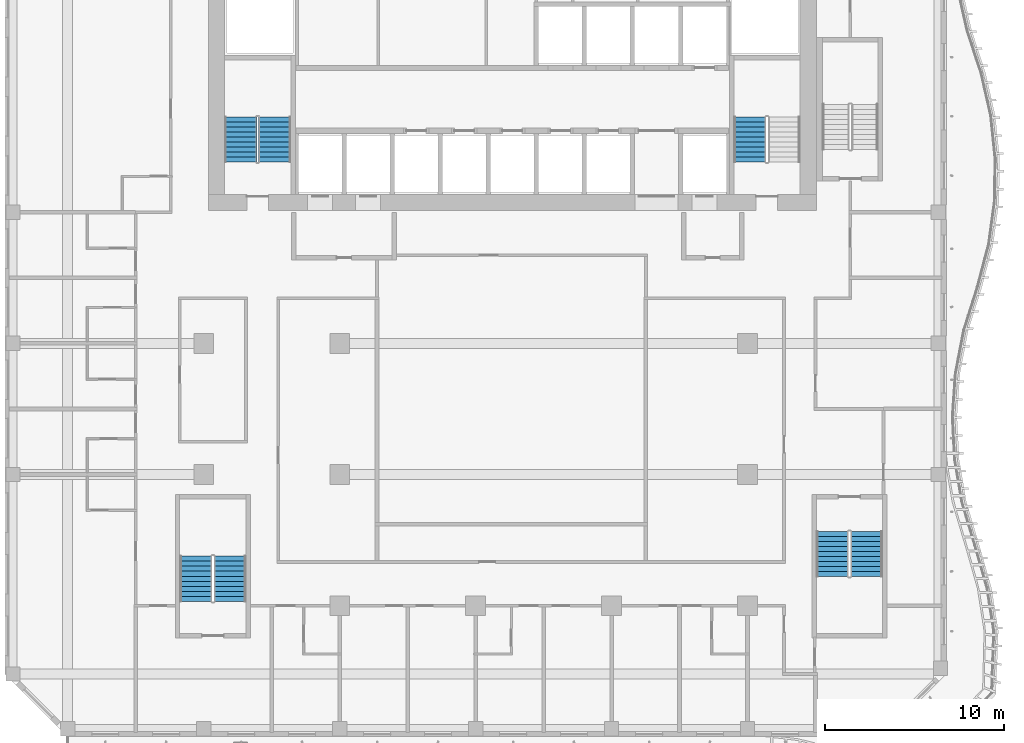
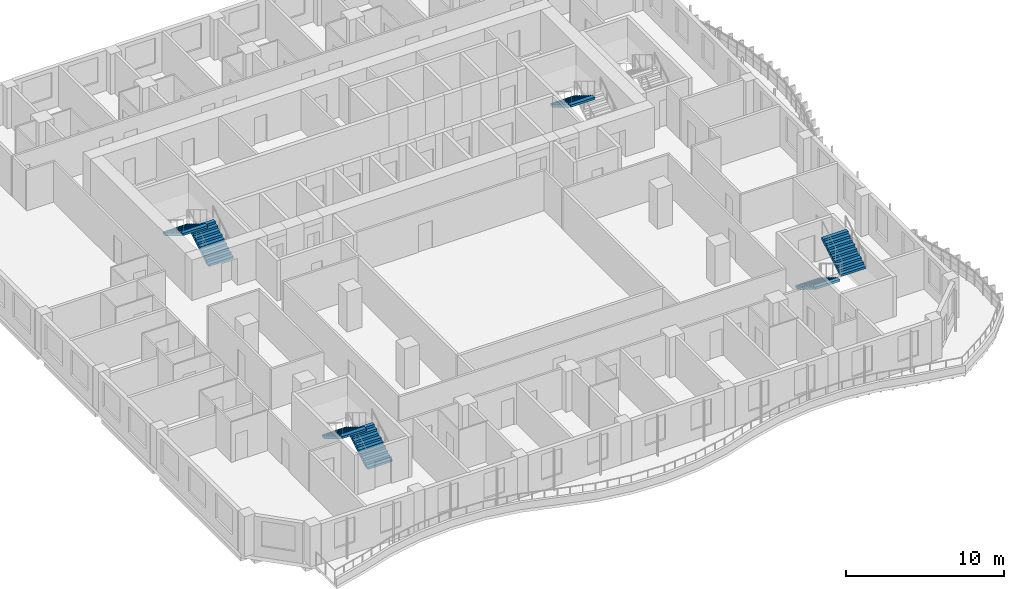
# One storey, part 12 of 23: 7 stair flights, 4 elements without a shape of their own.
"""IFC4 building model written with IfcOpenShell, lengths in metres."""

from ifc_helpers import new_model, si_unit, direction, frame, origin, place, context, subcontext, project, spatial, triangles, source, transform, mapped, material, type_object, element, aggregate, save


model = new_model("IFC4")

# Units and contexts
model_context = context("Model", 3, precision=1e-05, world=origin(), true_north=direction((0.0, 1.0)))
body_context = subcontext(model_context, "Body", "Model", "MODEL_VIEW")
ifc_project = project(units=[si_unit("LENGTHUNIT", "METRE"), si_unit("AREAUNIT", "SQUARE_METRE"), si_unit("VOLUMEUNIT", "CUBIC_METRE"), si_unit("PLANEANGLEUNIT", "RADIAN"), si_unit("MASSUNIT", "GRAM", prefix="KILO")], contexts=[model_context])

# Site, building, storey
site_placement = place(None, origin())
site = spatial("IfcSite", under=ifc_project, at=site_placement, CompositionType="ELEMENT")
building_placement = place(site_placement, origin())
building = spatial("IfcBuilding", under=site, at=building_placement, Name="Kilnfold Tower and Market Hall", CompositionType="ELEMENT")
storey_placement = place(building_placement, frame((0.0, 0.0, 150.699951171875)))
storey = spatial("IfcBuildingStorey", under=building, at=storey_placement, Name="L34", CompositionType="ELEMENT", Elevation=150.699951171875)

# Stair, stair flights
ifc_material_1 = material(Name="Concrete C40/50", Category="concrete")
stair_type = type_object("IfcStairType", Name="CORE STAIR 1800", PredefinedType="HALF_TURN_STAIR", material=ifc_material_1)
stair_1_placement = place(storey_placement, origin())
stair_1 = element("IfcStair", 1, at=stair_1_placement, inside=storey, type_object=stair_type, Name="L34 ST1", PredefinedType="HALF_TURN_STAIR")
ifc_material_2 = material(Name="Concrete C40/50", Category="concrete")
stair_flight_type = type_object("IfcStairFlightType", Name="CORE STAIR FLIGHT 1800", PredefinedType="STRAIGHT", material=ifc_material_2)
shared_shape = source(origin(), body_context, "Body", "Tessellation", [
    triangles([(0.0, 0.89990234375, 0.0), (0.0, 0.78759765625, 0.0), (0.0, 0.675048828125, 0.0), (0.0, 0.5625, 0.0), (0.0, 0.449951171875, 0.0), (0.0, 0.33740234375, 0.0), (0.0, 0.22509765625, 0.0), (0.0, 0.112548828125, 0.0), (0.0, 0.0, 0.0), (0.0, -0.112548828125, 0.0), (0.0, -0.22509765625, 0.0), (0.0, -0.33740234375, 0.0), (0.0, -0.449951171875, 0.0), (0.0, -0.5625, 0.0), (0.0, -0.675048828125, 0.0), (0.0, -0.78759765625, 0.0), (0.0, -0.89990234375, 0.0), (0.0, 0.89990234375, 0.169921875), (0.0, 0.78759765625, 0.169921875), (0.0, 0.675048828125, 0.169921875), (0.0, 0.5625, 0.169921875), (0.0, 0.449951171875, 0.169921875), (0.0, 0.33740234375, 0.169921875), (0.0, 0.22509765625, 0.169921875), (0.0, 0.112548828125, 0.169921875), (0.0, 0.0, 0.169921875), (0.0, -0.112548828125, 0.169921875), (0.0, -0.22509765625, 0.169921875), (0.0, -0.33740234375, 0.169921875), (0.0, -0.449951171875, 0.169921875), (0.0, -0.5625, 0.169921875), (0.0, -0.675048828125, 0.169921875), (0.0, -0.78759765625, 0.169921875), (0.0, -0.89990234375, 0.169921875), (0.280029296875, 0.89990234375, 0.169921875), (0.280029296875, 0.78759765625, 0.169921875), (0.280029296875, 0.675048828125, 0.169921875), (0.280029296875, 0.5625, 0.169921875), (0.280029296875, 0.449951171875, 0.169921875), (0.280029296875, 0.33740234375, 0.169921875), (0.280029296875, 0.22509765625, 0.169921875), (0.280029296875, 0.112548828125, 0.169921875), (0.280029296875, 0.0, 0.169921875), (0.280029296875, -0.112548828125, 0.169921875), (0.280029296875, -0.22509765625, 0.169921875), (0.280029296875, -0.33740234375, 0.169921875), (0.280029296875, -0.449951171875, 0.169921875), (0.280029296875, -0.5625, 0.169921875), (0.280029296875, -0.675048828125, 0.169921875), (0.280029296875, -0.78759765625, 0.169921875), (0.280029296875, -0.89990234375, 0.169921875), (0.280029296875, 0.89990234375, 0.340087890625), (0.280029296875, 0.78759765625, 0.340087890625), (0.280029296875, 0.675048828125, 0.340087890625), (0.280029296875, 0.5625, 0.340087890625), (0.280029296875, 0.449951171875, 0.340087890625), (0.280029296875, 0.33740234375, 0.340087890625), (0.280029296875, 0.22509765625, 0.340087890625), (0.280029296875, 0.112548828125, 0.340087890625), (0.280029296875, 0.0, 0.340087890625), (0.280029296875, -0.112548828125, 0.340087890625), (0.280029296875, -0.22509765625, 0.340087890625), (0.280029296875, -0.33740234375, 0.340087890625), (0.280029296875, -0.449951171875, 0.340087890625), (0.280029296875, -0.5625, 0.340087890625), (0.280029296875, -0.675048828125, 0.340087890625), (0.280029296875, -0.78759765625, 0.340087890625), (0.280029296875, -0.89990234375, 0.340087890625), (0.56005859375, 0.89990234375, 0.340087890625), (0.56005859375, 0.78759765625, 0.340087890625), (0.56005859375, 0.675048828125, 0.340087890625), (0.56005859375, 0.5625, 0.340087890625), (0.56005859375, 0.449951171875, 0.340087890625), (0.56005859375, 0.33740234375, 0.340087890625), (0.56005859375, 0.22509765625, 0.340087890625), (0.56005859375, 0.112548828125, 0.340087890625), (0.56005859375, 0.0, 0.340087890625), (0.56005859375, -0.112548828125, 0.340087890625), (0.56005859375, -0.22509765625, 0.340087890625), (0.56005859375, -0.33740234375, 0.340087890625), (0.56005859375, -0.449951171875, 0.340087890625), (0.56005859375, -0.5625, 0.340087890625), (0.56005859375, -0.675048828125, 0.340087890625), (0.56005859375, -0.78759765625, 0.340087890625), (0.56005859375, -0.89990234375, 0.340087890625), (0.56005859375, 0.89990234375, 0.510009765625), (0.56005859375, 0.78759765625, 0.510009765625), (0.56005859375, 0.675048828125, 0.510009765625), (0.56005859375, 0.5625, 0.510009765625), (0.56005859375, 0.449951171875, 0.510009765625), (0.56005859375, 0.33740234375, 0.510009765625), (0.56005859375, 0.22509765625, 0.510009765625), (0.56005859375, 0.112548828125, 0.510009765625), (0.56005859375, 0.0, 0.510009765625), (0.56005859375, -0.112548828125, 0.510009765625), (0.56005859375, -0.22509765625, 0.510009765625), (0.56005859375, -0.33740234375, 0.510009765625), (0.56005859375, -0.449951171875, 0.510009765625), (0.56005859375, -0.5625, 0.510009765625), (0.56005859375, -0.675048828125, 0.510009765625), (0.56005859375, -0.78759765625, 0.510009765625), (0.56005859375, -0.89990234375, 0.510009765625), (0.840087890625, 0.89990234375, 0.510009765625), (0.840087890625, 0.78759765625, 0.510009765625), (0.840087890625, 0.675048828125, 0.510009765625), (0.840087890625, 0.5625, 0.510009765625), (0.840087890625, 0.449951171875, 0.510009765625), (0.840087890625, 0.33740234375, 0.510009765625), (0.840087890625, 0.22509765625, 0.510009765625), (0.840087890625, 0.112548828125, 0.510009765625), (0.840087890625, 0.0, 0.510009765625), (0.840087890625, -0.112548828125, 0.510009765625), (0.840087890625, -0.22509765625, 0.510009765625), (0.840087890625, -0.33740234375, 0.510009765625), (0.840087890625, -0.449951171875, 0.510009765625), (0.840087890625, -0.5625, 0.510009765625), (0.840087890625, -0.675048828125, 0.510009765625), (0.840087890625, -0.78759765625, 0.510009765625), (0.840087890625, -0.89990234375, 0.510009765625), (0.840087890625, 0.89990234375, 0.679931640625), (0.840087890625, 0.78759765625, 0.679931640625), (0.840087890625, 0.675048828125, 0.679931640625), (0.840087890625, 0.5625, 0.679931640625), (0.840087890625, 0.449951171875, 0.679931640625), (0.840087890625, 0.33740234375, 0.679931640625), (0.840087890625, 0.22509765625, 0.679931640625), (0.840087890625, 0.112548828125, 0.679931640625), (0.840087890625, 0.0, 0.679931640625), (0.840087890625, -0.112548828125, 0.679931640625), (0.840087890625, -0.22509765625, 0.679931640625), (0.840087890625, -0.33740234375, 0.679931640625), (0.840087890625, -0.449951171875, 0.679931640625), (0.840087890625, -0.5625, 0.679931640625), (0.840087890625, -0.675048828125, 0.679931640625), (0.840087890625, -0.78759765625, 0.679931640625), (0.840087890625, -0.89990234375, 0.679931640625), (1.1201171875, 0.89990234375, 0.679931640625), (1.1201171875, 0.78759765625, 0.679931640625), (1.1201171875, 0.675048828125, 0.679931640625), (1.1201171875, 0.5625, 0.679931640625), (1.1201171875, 0.449951171875, 0.679931640625), (1.1201171875, 0.33740234375, 0.679931640625), (1.1201171875, 0.22509765625, 0.679931640625), (1.1201171875, 0.112548828125, 0.679931640625), (1.1201171875, 0.0, 0.679931640625), (1.1201171875, -0.112548828125, 0.679931640625), (1.1201171875, -0.22509765625, 0.679931640625), (1.1201171875, -0.33740234375, 0.679931640625), (1.1201171875, -0.449951171875, 0.679931640625), (1.1201171875, -0.5625, 0.679931640625), (1.1201171875, -0.675048828125, 0.679931640625), (1.1201171875, -0.78759765625, 0.679931640625), (1.1201171875, -0.89990234375, 0.679931640625), (1.1201171875, 0.89990234375, 0.85009765625), (1.1201171875, 0.78759765625, 0.85009765625), (1.1201171875, 0.675048828125, 0.85009765625), (1.1201171875, 0.5625, 0.85009765625), (1.1201171875, 0.449951171875, 0.85009765625), (1.1201171875, 0.33740234375, 0.85009765625), (1.1201171875, 0.22509765625, 0.85009765625), (1.1201171875, 0.112548828125, 0.85009765625), (1.1201171875, 0.0, 0.85009765625), (1.1201171875, -0.112548828125, 0.85009765625), (1.1201171875, -0.22509765625, 0.85009765625), (1.1201171875, -0.33740234375, 0.85009765625), (1.1201171875, -0.449951171875, 0.85009765625), (1.1201171875, -0.5625, 0.85009765625), (1.1201171875, -0.675048828125, 0.85009765625), (1.1201171875, -0.78759765625, 0.85009765625), (1.1201171875, -0.89990234375, 0.85009765625), (1.39990234375, 0.89990234375, 0.85009765625), (1.39990234375, 0.78759765625, 0.85009765625), (1.39990234375, 0.675048828125, 0.85009765625), (1.39990234375, 0.5625, 0.85009765625), (1.39990234375, 0.449951171875, 0.85009765625), (1.39990234375, 0.33740234375, 0.85009765625), (1.39990234375, 0.22509765625, 0.85009765625), (1.39990234375, 0.112548828125, 0.85009765625), (1.39990234375, 0.0, 0.85009765625), (1.39990234375, -0.112548828125, 0.85009765625), (1.39990234375, -0.22509765625, 0.85009765625), (1.39990234375, -0.33740234375, 0.85009765625), (1.39990234375, -0.449951171875, 0.85009765625), (1.39990234375, -0.5625, 0.85009765625), (1.39990234375, -0.675048828125, 0.85009765625), (1.39990234375, -0.78759765625, 0.85009765625), (1.39990234375, -0.89990234375, 0.85009765625), (1.39990234375, 0.89990234375, 1.02001953125), (1.39990234375, 0.78759765625, 1.02001953125), (1.39990234375, 0.675048828125, 1.02001953125), (1.39990234375, 0.5625, 1.02001953125), (1.39990234375, 0.449951171875, 1.02001953125), (1.39990234375, 0.33740234375, 1.02001953125), (1.39990234375, 0.22509765625, 1.02001953125), (1.39990234375, 0.112548828125, 1.02001953125), (1.39990234375, 0.0, 1.02001953125), (1.39990234375, -0.112548828125, 1.02001953125), (1.39990234375, -0.22509765625, 1.02001953125), (1.39990234375, -0.33740234375, 1.02001953125), (1.39990234375, -0.449951171875, 1.02001953125), (1.39990234375, -0.5625, 1.02001953125), (1.39990234375, -0.675048828125, 1.02001953125), (1.39990234375, -0.78759765625, 1.02001953125), (1.39990234375, -0.89990234375, 1.02001953125), (1.679931640625, 0.89990234375, 1.02001953125), (1.679931640625, 0.78759765625, 1.02001953125), (1.679931640625, 0.675048828125, 1.02001953125), (1.679931640625, 0.5625, 1.02001953125), (1.679931640625, 0.449951171875, 1.02001953125), (1.679931640625, 0.33740234375, 1.02001953125), (1.679931640625, 0.22509765625, 1.02001953125), (1.679931640625, 0.112548828125, 1.02001953125), (1.679931640625, 0.0, 1.02001953125), (1.679931640625, -0.112548828125, 1.02001953125), (1.679931640625, -0.22509765625, 1.02001953125), (1.679931640625, -0.33740234375, 1.02001953125), (1.679931640625, -0.449951171875, 1.02001953125), (1.679931640625, -0.5625, 1.02001953125), (1.679931640625, -0.675048828125, 1.02001953125), (1.679931640625, -0.78759765625, 1.02001953125), (1.679931640625, -0.89990234375, 1.02001953125), (1.679931640625, 0.89990234375, 1.18994140625), (1.679931640625, 0.78759765625, 1.18994140625), (1.679931640625, 0.675048828125, 1.18994140625), (1.679931640625, 0.5625, 1.18994140625), (1.679931640625, 0.449951171875, 1.18994140625), (1.679931640625, 0.33740234375, 1.18994140625), (1.679931640625, 0.22509765625, 1.18994140625), (1.679931640625, 0.112548828125, 1.18994140625), (1.679931640625, 0.0, 1.18994140625), (1.679931640625, -0.112548828125, 1.18994140625), (1.679931640625, -0.22509765625, 1.18994140625), (1.679931640625, -0.33740234375, 1.18994140625), (1.679931640625, -0.449951171875, 1.18994140625), (1.679931640625, -0.5625, 1.18994140625), (1.679931640625, -0.675048828125, 1.18994140625), (1.679931640625, -0.78759765625, 1.18994140625), (1.679931640625, -0.89990234375, 1.18994140625), (1.9599609375, 0.89990234375, 1.18994140625), (1.9599609375, 0.78759765625, 1.18994140625), (1.9599609375, 0.675048828125, 1.18994140625), (1.9599609375, 0.5625, 1.18994140625), (1.9599609375, 0.449951171875, 1.18994140625), (1.9599609375, 0.33740234375, 1.18994140625), (1.9599609375, 0.22509765625, 1.18994140625), (1.9599609375, 0.112548828125, 1.18994140625), (1.9599609375, 0.0, 1.18994140625), (1.9599609375, -0.112548828125, 1.18994140625), (1.9599609375, -0.22509765625, 1.18994140625), (1.9599609375, -0.33740234375, 1.18994140625), (1.9599609375, -0.449951171875, 1.18994140625), (1.9599609375, -0.5625, 1.18994140625), (1.9599609375, -0.675048828125, 1.18994140625), (1.9599609375, -0.78759765625, 1.18994140625), (1.9599609375, -0.89990234375, 1.18994140625), (1.9599609375, 0.89990234375, 1.360107421875), (1.9599609375, 0.78759765625, 1.360107421875), (1.9599609375, 0.675048828125, 1.360107421875), (1.9599609375, 0.5625, 1.360107421875), (1.9599609375, 0.449951171875, 1.360107421875), (1.9599609375, 0.33740234375, 1.360107421875), (1.9599609375, 0.22509765625, 1.360107421875), (1.9599609375, 0.112548828125, 1.360107421875), (1.9599609375, 0.0, 1.360107421875), (1.9599609375, -0.112548828125, 1.360107421875), (1.9599609375, -0.22509765625, 1.360107421875), (1.9599609375, -0.33740234375, 1.360107421875), (1.9599609375, -0.449951171875, 1.360107421875), (1.9599609375, -0.5625, 1.360107421875), (1.9599609375, -0.675048828125, 1.360107421875), (1.9599609375, -0.78759765625, 1.360107421875), (1.9599609375, -0.89990234375, 1.360107421875), (2.239990234375, 0.89990234375, 1.360107421875), (2.239990234375, 0.78759765625, 1.360107421875), (2.239990234375, 0.675048828125, 1.360107421875), (2.239990234375, 0.5625, 1.360107421875), (2.239990234375, 0.449951171875, 1.360107421875), (2.239990234375, 0.33740234375, 1.360107421875), (2.239990234375, 0.22509765625, 1.360107421875), (2.239990234375, 0.112548828125, 1.360107421875), (2.239990234375, 0.0, 1.360107421875), (2.239990234375, -0.112548828125, 1.360107421875), (2.239990234375, -0.22509765625, 1.360107421875), (2.239990234375, -0.33740234375, 1.360107421875), (2.239990234375, -0.449951171875, 1.360107421875), (2.239990234375, -0.5625, 1.360107421875), (2.239990234375, -0.675048828125, 1.360107421875), (2.239990234375, -0.78759765625, 1.360107421875), (2.239990234375, -0.89990234375, 1.360107421875), (2.239990234375, 0.89990234375, 1.530029296875), (2.239990234375, 0.78759765625, 1.530029296875), (2.239990234375, 0.675048828125, 1.530029296875), (2.239990234375, 0.5625, 1.530029296875), (2.239990234375, 0.449951171875, 1.530029296875), (2.239990234375, 0.33740234375, 1.530029296875), (2.239990234375, 0.22509765625, 1.530029296875), (2.239990234375, 0.112548828125, 1.530029296875), (2.239990234375, 0.0, 1.530029296875), (2.239990234375, -0.112548828125, 1.530029296875), (2.239990234375, -0.22509765625, 1.530029296875), (2.239990234375, -0.33740234375, 1.530029296875), (2.239990234375, -0.449951171875, 1.530029296875), (2.239990234375, -0.5625, 1.530029296875), (2.239990234375, -0.675048828125, 1.530029296875), (2.239990234375, -0.78759765625, 1.530029296875), (2.239990234375, -0.89990234375, 1.530029296875), (2.52001953125, 0.89990234375, 1.530029296875), (2.52001953125, 0.78759765625, 1.530029296875), (2.52001953125, 0.675048828125, 1.530029296875), (2.52001953125, 0.5625, 1.530029296875), (2.52001953125, 0.449951171875, 1.530029296875), (2.52001953125, 0.33740234375, 1.530029296875), (2.52001953125, 0.22509765625, 1.530029296875), (2.52001953125, 0.112548828125, 1.530029296875), (2.52001953125, 0.0, 1.530029296875), (2.52001953125, -0.112548828125, 1.530029296875), (2.52001953125, -0.22509765625, 1.530029296875), (2.52001953125, -0.33740234375, 1.530029296875), (2.52001953125, -0.449951171875, 1.530029296875), (2.52001953125, -0.5625, 1.530029296875), (2.52001953125, -0.675048828125, 1.530029296875), (2.52001953125, -0.78759765625, 1.530029296875), (2.52001953125, -0.89990234375, 1.530029296875), (2.52001953125, 0.89990234375, 1.354736328125), (2.52001953125, 0.78759765625, 1.354736328125), (2.52001953125, 0.675048828125, 1.354736328125), (2.52001953125, 0.5625, 1.354736328125), (2.52001953125, 0.449951171875, 1.354736328125), (2.52001953125, 0.33740234375, 1.354736328125), (2.52001953125, 0.22509765625, 1.354736328125), (2.52001953125, 0.112548828125, 1.354736328125), (2.52001953125, 0.0, 1.354736328125), (2.52001953125, -0.112548828125, 1.354736328125), (2.52001953125, -0.22509765625, 1.354736328125), (2.52001953125, -0.33740234375, 1.354736328125), (2.52001953125, -0.449951171875, 1.354736328125), (2.52001953125, -0.5625, 1.354736328125), (2.52001953125, -0.675048828125, 1.354736328125), (2.52001953125, -0.78759765625, 1.354736328125), (2.52001953125, -0.89990234375, 1.354736328125), (0.288818359375, 0.89990234375, 0.0), (0.288818359375, 0.78759765625, 0.0), (0.288818359375, 0.675048828125, 0.0), (0.288818359375, 0.5625, 0.0), (0.288818359375, 0.449951171875, 0.0), (0.288818359375, 0.33740234375, 0.0), (0.288818359375, 0.22509765625, 0.0), (0.288818359375, 0.112548828125, 0.0), (0.288818359375, 0.0, 0.0), (0.288818359375, -0.112548828125, 0.0), (0.288818359375, -0.22509765625, 0.0), (0.288818359375, -0.33740234375, 0.0), (0.288818359375, -0.449951171875, 0.0), (0.288818359375, -0.5625, 0.0), (0.288818359375, -0.675048828125, 0.0), (0.288818359375, -0.78759765625, 0.0), (0.288818359375, -0.89990234375, 0.0)], [[1, 324, 341], [17, 357, 340], [324, 290, 307], [340, 323, 306], [324, 273, 290], [340, 306, 289], [324, 256, 273], [340, 289, 272], [324, 239, 256], [340, 272, 255], [239, 205, 222], [255, 238, 221], [324, 205, 239], [340, 255, 221], [205, 171, 188], [221, 204, 187], [324, 171, 205], [340, 221, 187], [171, 137, 154], [187, 170, 153], [324, 137, 171], [340, 187, 153], [137, 103, 120], [153, 136, 119], [324, 103, 137], [340, 153, 119], [103, 69, 86], [119, 102, 85], [324, 69, 103], [340, 119, 85], [69, 35, 52], [85, 68, 51], [324, 35, 69], [340, 85, 51], [1, 35, 324], [17, 340, 51], [35, 1, 18], [51, 34, 17], [1, 19, 18], [1, 2, 19], [2, 20, 19], [2, 3, 20], [3, 21, 20], [3, 4, 21], [4, 22, 21], [4, 5, 22], [5, 23, 22], [5, 6, 23], [6, 24, 23], [6, 7, 24], [7, 25, 24], [7, 8, 25], [8, 26, 25], [8, 9, 26], [9, 27, 26], [9, 10, 27], [10, 28, 27], [10, 11, 28], [11, 29, 28], [11, 12, 29], [12, 30, 29], [12, 13, 30], [13, 31, 30], [13, 14, 31], [14, 32, 31], [14, 15, 32], [15, 33, 32], [15, 16, 33], [16, 34, 33], [16, 17, 34], [18, 36, 35], [18, 19, 36], [19, 37, 36], [19, 20, 37], [20, 38, 37], [20, 21, 38], [21, 39, 38], [21, 22, 39], [22, 40, 39], [22, 23, 40], [23, 41, 40], [23, 24, 41], [24, 42, 41], [24, 25, 42], [25, 43, 42], [25, 26, 43], [26, 44, 43], [26, 27, 44], [27, 45, 44], [27, 28, 45], [28, 46, 45], [28, 29, 46], [29, 47, 46], [29, 30, 47], [30, 48, 47], [30, 31, 48], [31, 49, 48], [31, 32, 49], [32, 50, 49], [32, 33, 50], [33, 51, 50], [33, 34, 51], [35, 53, 52], [35, 36, 53], [36, 54, 53], [36, 37, 54], [37, 55, 54], [37, 38, 55], [38, 56, 55], [38, 39, 56], [39, 57, 56], [39, 40, 57], [40, 58, 57], [40, 41, 58], [41, 59, 58], [41, 42, 59], [42, 60, 59], [42, 43, 60], [43, 61, 60], [43, 44, 61], [44, 62, 61], [44, 45, 62], [45, 63, 62], [45, 46, 63], [46, 64, 63], [46, 47, 64], [47, 65, 64], [47, 48, 65], [48, 66, 65], [48, 49, 66], [49, 67, 66], [49, 50, 67], [50, 68, 67], [50, 51, 68], [52, 70, 69], [52, 53, 70], [53, 71, 70], [53, 54, 71], [54, 72, 71], [54, 55, 72], [55, 73, 72], [55, 56, 73], [56, 74, 73], [56, 57, 74], [57, 75, 74], [57, 58, 75], [58, 76, 75], [58, 59, 76], [59, 77, 76], [59, 60, 77], [60, 78, 77], [60, 61, 78], [61, 79, 78], [61, 62, 79], [62, 80, 79], [62, 63, 80], [63, 81, 80], [63, 64, 81], [64, 82, 81], [64, 65, 82], [65, 83, 82], [65, 66, 83], [66, 84, 83], [66, 67, 84], [67, 85, 84], [67, 68, 85], [69, 87, 86], [69, 70, 87], [70, 88, 87], [70, 71, 88], [71, 89, 88], [71, 72, 89], [72, 90, 89], [72, 73, 90], [73, 91, 90], [73, 74, 91], [74, 92, 91], [74, 75, 92], [75, 93, 92], [75, 76, 93], [76, 94, 93], [76, 77, 94], [77, 95, 94], [77, 78, 95], [78, 96, 95], [78, 79, 96], [79, 97, 96], [79, 80, 97], [80, 98, 97], [80, 81, 98], [81, 99, 98], [81, 82, 99], [82, 100, 99], [82, 83, 100], [83, 101, 100], [83, 84, 101], [84, 102, 101], [84, 85, 102], [86, 104, 103], [86, 87, 104], [87, 105, 104], [87, 88, 105], [88, 106, 105], [88, 89, 106], [89, 107, 106], [89, 90, 107], [90, 108, 107], [90, 91, 108], [91, 109, 108], [91, 92, 109], [92, 110, 109], [92, 93, 110], [93, 111, 110], [93, 94, 111], [94, 112, 111], [94, 95, 112], [95, 113, 112], [95, 96, 113], [96, 114, 113], [96, 97, 114], [97, 115, 114], [97, 98, 115], [98, 116, 115], [98, 99, 116], [99, 117, 116], [99, 100, 117], [100, 118, 117], [100, 101, 118], [101, 119, 118], [101, 102, 119], [103, 121, 120], [103, 104, 121], [104, 122, 121], [104, 105, 122], [105, 123, 122], [105, 106, 123], [106, 124, 123], [106, 107, 124], [107, 125, 124], [107, 108, 125], [108, 126, 125], [108, 109, 126], [109, 127, 126], [109, 110, 127], [110, 128, 127], [110, 111, 128], [111, 129, 128], [111, 112, 129], [112, 130, 129], [112, 113, 130], [113, 131, 130], [113, 114, 131], [114, 132, 131], [114, 115, 132], [115, 133, 132], [115, 116, 133], [116, 134, 133], [116, 117, 134], [117, 135, 134], [117, 118, 135], [118, 136, 135], [118, 119, 136], [120, 138, 137], [120, 121, 138], [121, 139, 138], [121, 122, 139], [122, 140, 139], [122, 123, 140], [123, 141, 140], [123, 124, 141], [124, 142, 141], [124, 125, 142], [125, 143, 142], [125, 126, 143], [126, 144, 143], [126, 127, 144], [127, 145, 144], [127, 128, 145], [128, 146, 145], [128, 129, 146], [129, 147, 146], [129, 130, 147], [130, 148, 147], [130, 131, 148], [131, 149, 148], [131, 132, 149], [132, 150, 149], [132, 133, 150], [133, 151, 150], [133, 134, 151], [134, 152, 151], [134, 135, 152], [135, 153, 152], [135, 136, 153], [137, 155, 154], [137, 138, 155], [138, 156, 155], [138, 139, 156], [139, 157, 156], [139, 140, 157], [140, 158, 157], [140, 141, 158], [141, 159, 158], [141, 142, 159], [142, 160, 159], [142, 143, 160], [143, 161, 160], [143, 144, 161], [144, 162, 161], [144, 145, 162], [145, 163, 162], [145, 146, 163], [146, 164, 163], [146, 147, 164], [147, 165, 164], [147, 148, 165], [148, 166, 165], [148, 149, 166], [149, 167, 166], [149, 150, 167], [150, 168, 167], [150, 151, 168], [151, 169, 168], [151, 152, 169], [152, 170, 169], [152, 153, 170], [154, 172, 171], [154, 155, 172], [155, 173, 172], [155, 156, 173], [156, 174, 173], [156, 157, 174], [157, 175, 174], [157, 158, 175], [158, 176, 175], [158, 159, 176], [159, 177, 176], [159, 160, 177], [160, 178, 177], [160, 161, 178], [161, 179, 178], [161, 162, 179], [162, 180, 179], [162, 163, 180], [163, 181, 180], [163, 164, 181], [164, 182, 181], [164, 165, 182], [165, 183, 182], [165, 166, 183], [166, 184, 183], [166, 167, 184], [167, 185, 184], [167, 168, 185], [168, 186, 185], [168, 169, 186], [169, 187, 186], [169, 170, 187], [171, 189, 188], [171, 172, 189], [172, 190, 189], [172, 173, 190], [173, 191, 190], [173, 174, 191], [174, 192, 191], [174, 175, 192], [175, 193, 192], [175, 176, 193], [176, 194, 193], [176, 177, 194], [177, 195, 194], [177, 178, 195], [178, 196, 195], [178, 179, 196], [179, 197, 196], [179, 180, 197], [180, 198, 197], [180, 181, 198], [181, 199, 198], [181, 182, 199], [182, 200, 199], [182, 183, 200], [183, 201, 200], [183, 184, 201], [184, 202, 201], [184, 185, 202], [185, 203, 202], [185, 186, 203], [186, 204, 203], [186, 187, 204], [188, 206, 205], [188, 189, 206], [189, 207, 206], [189, 190, 207], [190, 208, 207], [190, 191, 208], [191, 209, 208], [191, 192, 209], [192, 210, 209], [192, 193, 210], [193, 211, 210], [193, 194, 211], [194, 212, 211], [194, 195, 212], [195, 213, 212], [195, 196, 213], [196, 214, 213], [196, 197, 214], [197, 215, 214], [197, 198, 215], [198, 216, 215], [198, 199, 216], [199, 217, 216], [199, 200, 217], [200, 218, 217], [200, 201, 218], [201, 219, 218], [201, 202, 219], [202, 220, 219], [202, 203, 220], [203, 221, 220], [203, 204, 221], [205, 223, 222], [205, 206, 223], [206, 224, 223], [206, 207, 224], [207, 225, 224], [207, 208, 225], [208, 226, 225], [208, 209, 226], [209, 227, 226], [209, 210, 227], [210, 228, 227], [210, 211, 228], [211, 229, 228], [211, 212, 229], [212, 230, 229], [212, 213, 230], [213, 231, 230], [213, 214, 231], [214, 232, 231], [214, 215, 232], [215, 233, 232], [215, 216, 233], [216, 234, 233], [216, 217, 234], [217, 235, 234], [217, 218, 235], [218, 236, 235], [218, 219, 236], [219, 237, 236], [219, 220, 237], [220, 238, 237], [220, 221, 238], [222, 240, 239], [222, 223, 240], [223, 241, 240], [223, 224, 241], [224, 242, 241], [224, 225, 242], [225, 243, 242], [225, 226, 243], [226, 244, 243], [226, 227, 244], [227, 245, 244], [227, 228, 245], [228, 246, 245], [228, 229, 246], [229, 247, 246], [229, 230, 247], [230, 248, 247], [230, 231, 248], [231, 249, 248], [231, 232, 249], [232, 250, 249], [232, 233, 250], [233, 251, 250], [233, 234, 251], [234, 252, 251], [234, 235, 252], [235, 253, 252], [235, 236, 253], [236, 254, 253], [236, 237, 254], [237, 255, 254], [237, 238, 255], [239, 257, 256], [239, 240, 257], [240, 258, 257], [240, 241, 258], [241, 259, 258], [241, 242, 259], [242, 260, 259], [242, 243, 260], [243, 261, 260], [243, 244, 261], [244, 262, 261], [244, 245, 262], [245, 263, 262], [245, 246, 263], [246, 264, 263], [246, 247, 264], [247, 265, 264], [247, 248, 265], [248, 266, 265], [248, 249, 266], [249, 267, 266], [249, 250, 267], [250, 268, 267], [250, 251, 268], [251, 269, 268], [251, 252, 269], [252, 270, 269], [252, 253, 270], [253, 271, 270], [253, 254, 271], [254, 272, 271], [254, 255, 272], [256, 274, 273], [256, 257, 274], [257, 275, 274], [257, 258, 275], [258, 276, 275], [258, 259, 276], [259, 277, 276], [259, 260, 277], [260, 278, 277], [260, 261, 278], [261, 279, 278], [261, 262, 279], [262, 280, 279], [262, 263, 280], [263, 281, 280], [263, 264, 281], [264, 282, 281], [264, 265, 282], [265, 283, 282], [265, 266, 283], [266, 284, 283], [266, 267, 284], [267, 285, 284], [267, 268, 285], [268, 286, 285], [268, 269, 286], [269, 287, 286], [269, 270, 287], [270, 288, 287], [270, 271, 288], [271, 289, 288], [271, 272, 289], [273, 291, 290], [273, 274, 291], [274, 292, 291], [274, 275, 292], [275, 293, 292], [275, 276, 293], [276, 294, 293], [276, 277, 294], [277, 295, 294], [277, 278, 295], [278, 296, 295], [278, 279, 296], [279, 297, 296], [279, 280, 297], [280, 298, 297], [280, 281, 298], [281, 299, 298], [281, 282, 299], [282, 300, 299], [282, 283, 300], [283, 301, 300], [283, 284, 301], [284, 302, 301], [284, 285, 302], [285, 303, 302], [285, 286, 303], [286, 304, 303], [286, 287, 304], [287, 305, 304], [287, 288, 305], [288, 306, 305], [288, 289, 306], [290, 308, 307], [290, 291, 308], [291, 309, 308], [291, 292, 309], [292, 310, 309], [292, 293, 310], [293, 311, 310], [293, 294, 311], [294, 312, 311], [294, 295, 312], [295, 313, 312], [295, 296, 313], [296, 314, 313], [296, 297, 314], [297, 315, 314], [297, 298, 315], [298, 316, 315], [298, 299, 316], [299, 317, 316], [299, 300, 317], [300, 318, 317], [300, 301, 318], [301, 319, 318], [301, 302, 319], [302, 320, 319], [302, 303, 320], [303, 321, 320], [303, 304, 321], [304, 322, 321], [304, 305, 322], [305, 323, 322], [305, 306, 323], [307, 325, 324], [307, 308, 325], [308, 326, 325], [308, 309, 326], [309, 327, 326], [309, 310, 327], [310, 328, 327], [310, 311, 328], [311, 329, 328], [311, 312, 329], [312, 330, 329], [312, 313, 330], [313, 331, 330], [313, 314, 331], [314, 332, 331], [314, 315, 332], [315, 333, 332], [315, 316, 333], [316, 334, 333], [316, 317, 334], [317, 335, 334], [317, 318, 335], [318, 336, 335], [318, 319, 336], [319, 337, 336], [319, 320, 337], [320, 338, 337], [320, 321, 338], [321, 339, 338], [321, 322, 339], [322, 340, 339], [322, 323, 340], [324, 342, 341], [324, 325, 342], [325, 343, 342], [325, 326, 343], [326, 344, 343], [326, 327, 344], [327, 345, 344], [327, 328, 345], [328, 346, 345], [328, 329, 346], [329, 347, 346], [329, 330, 347], [330, 348, 347], [330, 331, 348], [331, 349, 348], [331, 332, 349], [332, 350, 349], [332, 333, 350], [333, 351, 350], [333, 334, 351], [334, 352, 351], [334, 335, 352], [335, 353, 352], [335, 336, 353], [336, 354, 353], [336, 337, 354], [337, 355, 354], [337, 338, 355], [338, 356, 355], [338, 339, 356], [339, 357, 356], [339, 340, 357], [341, 2, 1], [341, 342, 2], [342, 3, 2], [342, 343, 3], [343, 4, 3], [343, 344, 4], [344, 5, 4], [344, 345, 5], [345, 6, 5], [345, 346, 6], [346, 7, 6], [346, 347, 7], [347, 8, 7], [347, 348, 8], [348, 9, 8], [348, 349, 9], [349, 10, 9], [349, 350, 10], [350, 11, 10], [350, 351, 11], [351, 12, 11], [351, 352, 12], [352, 13, 12], [352, 353, 13], [353, 14, 13], [353, 354, 14], [354, 15, 14], [354, 355, 15], [355, 16, 15], [355, 356, 16], [356, 17, 16], [356, 357, 17]], closed=True),
])
stair_flight_1_placement = place(storey_placement, frame((-12.199951171875, 10.800048828125, 0.0), z_axis=(0.0, 0.0, 1.0), x_axis=(0.0, 1.0, 0.0)))
stair_flight_1 = element("IfcStairFlight", 2, at=stair_flight_1_placement, type_object=stair_flight_type, Name="ST1 flight 1", NumberOfRisers=10, NumberOfTreads=9, PredefinedType="STRAIGHT", RiserHeight=0.17, TreadLength=0.28, context=body_context, shape_type="MappedRepresentation", body=[
    mapped(shared_shape, transform((0.0, 0.0, 0.0))),
])
stair_flight_2_placement = place(storey_placement, frame((-14.10009765625, 13.320068359375, 1.699951171875), z_axis=(0.0, 0.0, 1.0), x_axis=(0.0, -1.0, 0.0)))
stair_flight_2 = element("IfcStairFlight", 3, at=stair_flight_2_placement, type_object=stair_flight_type, Name="ST1 flight 2", NumberOfRisers=10, NumberOfTreads=9, PredefinedType="STRAIGHT", RiserHeight=0.17, TreadLength=0.28, context=body_context, shape_type="MappedRepresentation", body=[
    mapped(shared_shape, transform((0.0, 0.0, 0.0))),
])
aggregate(stair_1, [stair_flight_1, stair_flight_2])

# Stair, stair flight
stair_2_placement = place(storey_placement, origin())
stair_2 = element("IfcStair", 4, at=stair_2_placement, inside=storey, type_object=stair_type, Name="L34 ST2", PredefinedType="HALF_TURN_STAIR")
stair_flight_3_placement = place(storey_placement, frame((14.300048828125, 13.320068359375, 1.699951171875), z_axis=(0.0, 0.0, 1.0), x_axis=(0.0, -1.0, 0.0)))
stair_flight_3 = element("IfcStairFlight", 5, at=stair_flight_3_placement, type_object=stair_flight_type, Name="ST2 flight 2", NumberOfRisers=10, NumberOfTreads=9, PredefinedType="STRAIGHT", RiserHeight=0.17, TreadLength=0.28, context=body_context, shape_type="MappedRepresentation", body=[
    mapped(shared_shape, transform((0.0, 0.0, 0.0))),
])
aggregate(stair_2, [stair_flight_3])

# Stair, stair flights
stair_3_placement = place(storey_placement, origin())
stair_3 = element("IfcStair", 6, at=stair_3_placement, inside=storey, type_object=stair_type, Name="L34 ST3", PredefinedType="HALF_TURN_STAIR")
stair_flight_4_placement = place(storey_placement, frame((-14.699951171875, -13.699951171875, 0.0), z_axis=(0.0, 0.0, 1.0), x_axis=(0.0, 1.0, 0.0)))
stair_flight_4 = element("IfcStairFlight", 7, at=stair_flight_4_placement, type_object=stair_flight_type, Name="ST3 flight 1", NumberOfRisers=10, NumberOfTreads=9, PredefinedType="STRAIGHT", RiserHeight=0.17, TreadLength=0.28, context=body_context, shape_type="MappedRepresentation", body=[
    mapped(shared_shape, transform((0.0, 0.0, 0.0))),
])
stair_flight_5_placement = place(storey_placement, frame((-16.60009765625, -11.179931640625, 1.699951171875), z_axis=(0.0, 0.0, 1.0), x_axis=(0.0, -1.0, 0.0)))
stair_flight_5 = element("IfcStairFlight", 8, at=stair_flight_5_placement, type_object=stair_flight_type, Name="ST3 flight 2", NumberOfRisers=10, NumberOfTreads=9, PredefinedType="STRAIGHT", RiserHeight=0.17, TreadLength=0.28, context=body_context, shape_type="MappedRepresentation", body=[
    mapped(shared_shape, transform((0.0, 0.0, 0.0))),
])
aggregate(stair_3, [stair_flight_4, stair_flight_5])

stair_4_placement = place(storey_placement, origin())
stair_4 = element("IfcStair", 9, at=stair_4_placement, inside=storey, type_object=stair_type, Name="L34 ST4", PredefinedType="HALF_TURN_STAIR")
stair_flight_6_placement = place(storey_placement, frame((18.89990234375, -9.800048828125, 0.0), z_axis=(0.0, 0.0, 1.0), x_axis=(0.0, -1.0, 0.0)))
stair_flight_6 = element("IfcStairFlight", 10, at=stair_flight_6_placement, type_object=stair_flight_type, Name="ST4 flight 1", NumberOfRisers=10, NumberOfTreads=9, PredefinedType="STRAIGHT", RiserHeight=0.17, TreadLength=0.28, context=body_context, shape_type="MappedRepresentation", body=[
    mapped(shared_shape, transform((0.0, 0.0, 0.0))),
])
stair_flight_7_placement = place(storey_placement, frame((20.800048828125, -12.320068359375, 1.699951171875), z_axis=(0.0, 0.0, 1.0), x_axis=(0.0, 1.0, 0.0)))
stair_flight_7 = element("IfcStairFlight", 11, at=stair_flight_7_placement, type_object=stair_flight_type, Name="ST4 flight 2", NumberOfRisers=10, NumberOfTreads=9, PredefinedType="STRAIGHT", RiserHeight=0.17, TreadLength=0.28, context=body_context, shape_type="MappedRepresentation", body=[
    mapped(shared_shape, transform((0.0, 0.0, 0.0))),
])
aggregate(stair_4, [stair_flight_6, stair_flight_7])

save(model, "model.ifc")
